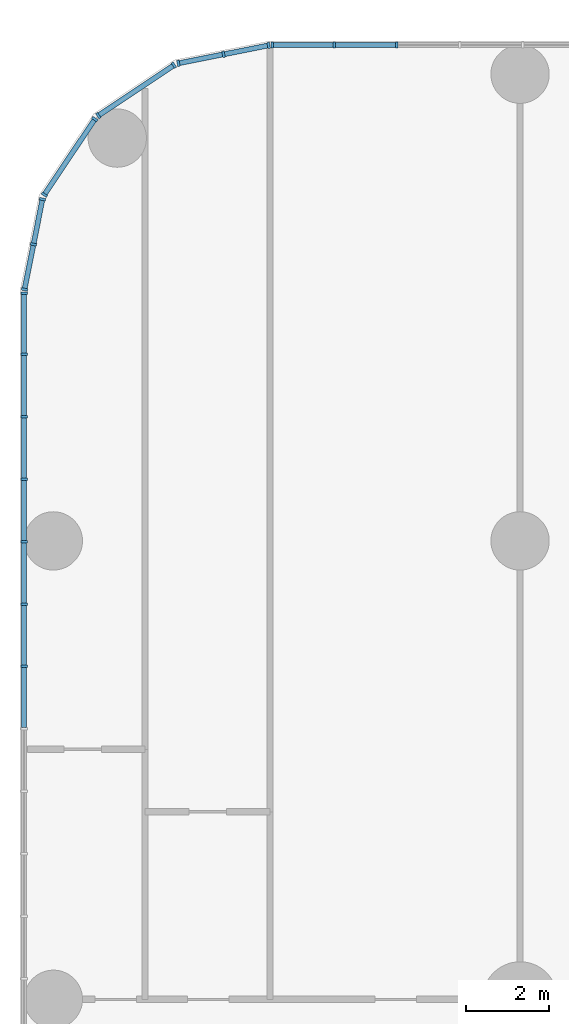
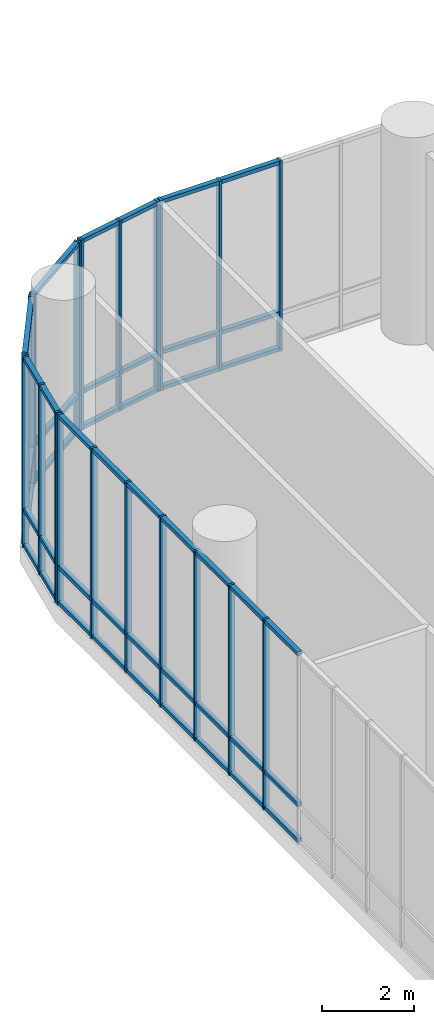
# One storey, part 9 of 30: 65 members, 6 elements without a shape of their own.
"""IFC4 building model written with IfcOpenShell, lengths in metres."""

from ifc_helpers import new_model, si_unit, direction, frame, origin, origin_2d, place, context, subcontext, project, spatial, rectangle, extrude, material, layer, layer_set, material_profile, profile_set, type_object, element, aggregate, save


model = new_model("IFC4")

# Units and contexts
model_context = context("Model", 3, precision=1e-05, world=origin(), true_north=direction((0.0, 1.0)))
body_context = subcontext(model_context, "Body", "Model", "MODEL_VIEW")
ifc_project = project(units=[si_unit("LENGTHUNIT", "METRE"), si_unit("AREAUNIT", "SQUARE_METRE"), si_unit("VOLUMEUNIT", "CUBIC_METRE"), si_unit("PLANEANGLEUNIT", "RADIAN"), si_unit("MASSUNIT", "GRAM", prefix="KILO")], contexts=[model_context])

# Site, building, storey
site_placement = place(None, origin())
site = spatial("IfcSite", under=ifc_project, at=site_placement, CompositionType="ELEMENT")
building_placement = place(site_placement, origin())
building = spatial("IfcBuilding", under=site, at=building_placement, Name="Torana Hotel and Residences", CompositionType="ELEMENT")
storey_placement = place(building_placement, frame((0.0, 0.0, 12.5)))
storey = spatial("IfcBuildingStorey", under=building, at=storey_placement, Name="L02", CompositionType="ELEMENT", Elevation=12.5)

# Curtain wall, members
ifc_material_1 = material(Name="Dark anodised aluminium", Category="aluminium")
ifc_layer = layer(ifc_material_1, 0.14990234375)
ifc_layer_set = layer_set([ifc_layer], Name="CW5 PODIUM UPPER UNITISED CURTAIN WALL")
curtain_wall_type = type_object("IfcCurtainWallType", Name="CW5 PODIUM UPPER UNITISED CURTAIN WALL", PredefinedType="NOTDEFINED", material=ifc_layer_set)
curtain_wall_1_placement = place(storey_placement, origin())
curtain_wall_1 = element("IfcCurtainWall", 1, at=curtain_wall_1_placement, inside=storey, type_object=curtain_wall_type, Name="Curtain wall CW5 L02 e0.2", PredefinedType="NOTDEFINED")
ifc_material_2 = material(Name="Dark anodised aluminium", Category="aluminium")
ifc_material_profile_1 = material_profile(ifc_material_2, rectangle(XDim=0.14990234375, YDim=0.06005859375, at=origin_2d()), Name="CW5 MULLION 60x150")
ifc_profile_set_1 = profile_set([ifc_material_profile_1], Name="Dark anodised aluminium")
member_type_1 = type_object("IfcMemberType", Name="CW5 MULLION 60x150", PredefinedType="MULLION", material=ifc_profile_set_1)
member_1_placement = place(storey_placement, frame((-38.953857421875, 7.89990234375, 0.0), z_axis=(0.0, 0.0, 1.0), x_axis=(0.0, -1.0, 0.0)))
member_1 = element("IfcMember", 2, at=member_1_placement, type_object=member_type_1, Name="CW5 mullion 20", PredefinedType="MULLION", context=body_context, shape_type="SweptSolid", body=[
    extrude(rectangle(XDim=0.14990234375, YDim=0.06005859375, at=origin_2d()), origin(), (0.0, 0.0, 1.0), 5.050048828125),
])
member_2_placement = place(storey_placement, frame((-40.464599609375, 7.89990234375, 0.0), z_axis=(0.0, 0.0, 1.0), x_axis=(0.0, -1.0, 0.0)))
member_2 = element("IfcMember", 3, at=member_2_placement, type_object=member_type_1, Name="CW5 mullion 21", PredefinedType="MULLION", context=body_context, shape_type="SweptSolid", body=[
    extrude(rectangle(XDim=0.14990234375, YDim=0.06005859375, at=origin_2d()), origin(), (0.0, 0.0, 1.0), 5.050048828125),
])
member_3_placement = place(storey_placement, frame((-41.9453125, 7.89990234375, 0.0), z_axis=(0.0, 0.0, 1.0), x_axis=(0.0, -1.0, 0.0)))
member_3 = element("IfcMember", 4, at=member_3_placement, type_object=member_type_1, Name="CW5 mullion 22", PredefinedType="MULLION", context=body_context, shape_type="SweptSolid", body=[
    extrude(rectangle(XDim=0.14990234375, YDim=0.06005859375, at=origin_2d()), origin(), (0.0, 0.0, 1.0), 5.050048828125),
])

curtain_wall_2_placement = place(storey_placement, origin())
curtain_wall_2 = element("IfcCurtainWall", 5, at=curtain_wall_2_placement, inside=storey, type_object=curtain_wall_type, Name="Curtain wall CW5 L02 e0.3", PredefinedType="NOTDEFINED")
member_4_placement = place(storey_placement, frame((-42.033935546875, 7.891357421875, 0.0), z_axis=(0.0, 0.0, 1.0), x_axis=(0.195080996415, -0.980787135335, 0.0)))
member_4 = element("IfcMember", 6, at=member_4_placement, type_object=member_type_1, Name="CW5 mullion 1", PredefinedType="MULLION", context=body_context, shape_type="SweptSolid", body=[
    extrude(rectangle(XDim=0.14990234375, YDim=0.06005859375, at=origin_2d()), origin(), (0.0, 0.0, 1.0), 5.050048828125),
])
member_5_placement = place(storey_placement, frame((-43.1162109375, 7.676025390625, 0.0), z_axis=(0.0, 0.0, 1.0), x_axis=(0.195080996415, -0.980787135335, 0.0)))
member_5 = element("IfcMember", 7, at=member_5_placement, type_object=member_type_1, Name="CW5 mullion 2", PredefinedType="MULLION", context=body_context, shape_type="SweptSolid", body=[
    extrude(rectangle(XDim=0.14990234375, YDim=0.06005859375, at=origin_2d()), origin(), (0.0, 0.0, 1.0), 5.050048828125),
])
member_6_placement = place(storey_placement, frame((-44.198486328125, 7.460693359375, 0.0), z_axis=(0.0, 0.0, 1.0), x_axis=(0.195080996415, -0.980787135335, 0.0)))
member_6 = element("IfcMember", 8, at=member_6_placement, type_object=member_type_1, Name="CW5 mullion 3", PredefinedType="MULLION", context=body_context, shape_type="SweptSolid", body=[
    extrude(rectangle(XDim=0.14990234375, YDim=0.06005859375, at=origin_2d()), origin(), (0.0, 0.0, 1.0), 5.050048828125),
])

curtain_wall_3_placement = place(storey_placement, origin())
curtain_wall_3 = element("IfcCurtainWall", 9, at=curtain_wall_3_placement, inside=storey, type_object=curtain_wall_type, Name="Curtain wall CW5 L02 e0.4", PredefinedType="NOTDEFINED")
member_7_placement = place(storey_placement, frame((-44.306884765625, 7.415771484375, 0.0), z_axis=(0.0, 0.0, 1.0), x_axis=(0.555585238723, -0.831459585616, 0.0)))
member_7 = element("IfcMember", 10, at=member_7_placement, type_object=member_type_1, Name="CW5 mullion 1", PredefinedType="MULLION", context=body_context, shape_type="SweptSolid", body=[
    extrude(rectangle(XDim=0.14990234375, YDim=0.06005859375, at=origin_2d()), origin(), (0.0, 0.0, 1.0), 5.050048828125),
])
member_8_placement = place(storey_placement, frame((-46.120849609375, 6.203857421875, 0.0), z_axis=(0.0, 0.0, 1.0), x_axis=(0.555585238723, -0.831459585616, 0.0)))
member_8 = element("IfcMember", 11, at=member_8_placement, type_object=member_type_1, Name="CW5 mullion 2", PredefinedType="MULLION", context=body_context, shape_type="SweptSolid", body=[
    extrude(rectangle(XDim=0.14990234375, YDim=0.06005859375, at=origin_2d()), origin(), (0.0, 0.0, 1.0), 5.050048828125),
])

curtain_wall_4_placement = place(storey_placement, origin())
curtain_wall_4 = element("IfcCurtainWall", 12, at=curtain_wall_4_placement, inside=storey, type_object=curtain_wall_type, Name="Curtain wall CW5 L02 e0.5", PredefinedType="NOTDEFINED")
member_9_placement = place(storey_placement, frame((-46.203857421875, 6.120849609375, 0.0), z_axis=(0.0, 0.0, 1.0), x_axis=(0.831459585616, -0.555585238723, 0.0)))
member_9 = element("IfcMember", 13, at=member_9_placement, type_object=member_type_1, Name="CW5 mullion 1", PredefinedType="MULLION", context=body_context, shape_type="SweptSolid", body=[
    extrude(rectangle(XDim=0.14990234375, YDim=0.06005859375, at=origin_2d()), origin(), (0.0, 0.0, 1.0), 5.050048828125),
])
member_10_placement = place(storey_placement, frame((-47.415771484375, 4.306884765625, 0.0), z_axis=(0.0, 0.0, 1.0), x_axis=(0.831459585616, -0.555585238723, 0.0)))
member_10 = element("IfcMember", 14, at=member_10_placement, type_object=member_type_1, Name="CW5 mullion 2", PredefinedType="MULLION", context=body_context, shape_type="SweptSolid", body=[
    extrude(rectangle(XDim=0.14990234375, YDim=0.06005859375, at=origin_2d()), origin(), (0.0, 0.0, 1.0), 5.050048828125),
])

curtain_wall_5_placement = place(storey_placement, origin())
curtain_wall_5 = element("IfcCurtainWall", 15, at=curtain_wall_5_placement, inside=storey, type_object=curtain_wall_type, Name="Curtain wall CW5 L02 e0.6", PredefinedType="NOTDEFINED")
member_11_placement = place(storey_placement, frame((-47.460693359375, 4.198486328125, 0.0), z_axis=(0.0, 0.0, 1.0), x_axis=(0.980787135335, -0.195080996415, 0.0)))
member_11 = element("IfcMember", 16, at=member_11_placement, type_object=member_type_1, Name="CW5 mullion 1", PredefinedType="MULLION", context=body_context, shape_type="SweptSolid", body=[
    extrude(rectangle(XDim=0.14990234375, YDim=0.06005859375, at=origin_2d()), origin(), (0.0, 0.0, 1.0), 5.050048828125),
])
member_12_placement = place(storey_placement, frame((-47.676025390625, 3.1162109375, 0.0), z_axis=(0.0, 0.0, 1.0), x_axis=(0.980787135335, -0.195080996415, 0.0)))
member_12 = element("IfcMember", 17, at=member_12_placement, type_object=member_type_1, Name="CW5 mullion 2", PredefinedType="MULLION", context=body_context, shape_type="SweptSolid", body=[
    extrude(rectangle(XDim=0.14990234375, YDim=0.06005859375, at=origin_2d()), origin(), (0.0, 0.0, 1.0), 5.050048828125),
])
member_13_placement = place(storey_placement, frame((-47.891357421875, 2.033935546875, 0.0), z_axis=(0.0, 0.0, 1.0), x_axis=(0.980787135335, -0.195080996415, 0.0)))
member_13 = element("IfcMember", 18, at=member_13_placement, type_object=member_type_1, Name="CW5 mullion 3", PredefinedType="MULLION", context=body_context, shape_type="SweptSolid", body=[
    extrude(rectangle(XDim=0.14990234375, YDim=0.06005859375, at=origin_2d()), origin(), (0.0, 0.0, 1.0), 5.050048828125),
])

curtain_wall_6_placement = place(storey_placement, origin())
curtain_wall_6 = element("IfcCurtainWall", 19, at=curtain_wall_6_placement, inside=storey, type_object=curtain_wall_type, Name="Curtain wall CW5 L02 e0.7", PredefinedType="NOTDEFINED")
member_14_placement = place(storey_placement, frame((-47.89990234375, 1.9453125, 0.0), z_axis=(0.0, 0.0, 1.0), x_axis=(1.0, 0.0, 0.0)))
member_14 = element("IfcMember", 20, at=member_14_placement, type_object=member_type_1, Name="CW5 mullion 1", PredefinedType="MULLION", context=body_context, shape_type="SweptSolid", body=[
    extrude(rectangle(XDim=0.14990234375, YDim=0.06005859375, at=origin_2d()), origin(), (0.0, 0.0, 1.0), 5.050048828125),
])
member_15_placement = place(storey_placement, frame((-47.89990234375, 0.4775390625, 0.0), z_axis=(0.0, 0.0, 1.0), x_axis=(1.0, 0.0, 0.0)))
member_15 = element("IfcMember", 21, at=member_15_placement, type_object=member_type_1, Name="CW5 mullion 2", PredefinedType="MULLION", context=body_context, shape_type="SweptSolid", body=[
    extrude(rectangle(XDim=0.14990234375, YDim=0.06005859375, at=origin_2d()), origin(), (0.0, 0.0, 1.0), 5.050048828125),
])
member_16_placement = place(storey_placement, frame((-47.89990234375, -1.0205078125, 0.0), z_axis=(0.0, 0.0, 1.0), x_axis=(1.0, 0.0, 0.0)))
member_16 = element("IfcMember", 22, at=member_16_placement, type_object=member_type_1, Name="CW5 mullion 3", PredefinedType="MULLION", context=body_context, shape_type="SweptSolid", body=[
    extrude(rectangle(XDim=0.14990234375, YDim=0.06005859375, at=origin_2d()), origin(), (0.0, 0.0, 1.0), 5.050048828125),
])
member_17_placement = place(storey_placement, frame((-47.89990234375, -2.5185546875, 0.0), z_axis=(0.0, 0.0, 1.0), x_axis=(1.0, 0.0, 0.0)))
member_17 = element("IfcMember", 23, at=member_17_placement, type_object=member_type_1, Name="CW5 mullion 4", PredefinedType="MULLION", context=body_context, shape_type="SweptSolid", body=[
    extrude(rectangle(XDim=0.14990234375, YDim=0.06005859375, at=origin_2d()), origin(), (0.0, 0.0, 1.0), 5.050048828125),
])
member_18_placement = place(storey_placement, frame((-47.89990234375, -4.016357421875, 0.0), z_axis=(0.0, 0.0, 1.0), x_axis=(1.0, 0.0, 0.0)))
member_18 = element("IfcMember", 24, at=member_18_placement, type_object=member_type_1, Name="CW5 mullion 5", PredefinedType="MULLION", context=body_context, shape_type="SweptSolid", body=[
    extrude(rectangle(XDim=0.14990234375, YDim=0.06005859375, at=origin_2d()), origin(), (0.0, 0.0, 1.0), 5.050048828125),
])
member_19_placement = place(storey_placement, frame((-47.89990234375, -5.514404296875, 0.0), z_axis=(0.0, 0.0, 1.0), x_axis=(1.0, 0.0, 0.0)))
member_19 = element("IfcMember", 25, at=member_19_placement, type_object=member_type_1, Name="CW5 mullion 6", PredefinedType="MULLION", context=body_context, shape_type="SweptSolid", body=[
    extrude(rectangle(XDim=0.14990234375, YDim=0.06005859375, at=origin_2d()), origin(), (0.0, 0.0, 1.0), 5.050048828125),
])
member_20_placement = place(storey_placement, frame((-47.89990234375, -7.01220703125, 0.0), z_axis=(0.0, 0.0, 1.0), x_axis=(1.0, 0.0, 0.0)))
member_20 = element("IfcMember", 26, at=member_20_placement, type_object=member_type_1, Name="CW5 mullion 7", PredefinedType="MULLION", context=body_context, shape_type="SweptSolid", body=[
    extrude(rectangle(XDim=0.14990234375, YDim=0.06005859375, at=origin_2d()), origin(), (0.0, 0.0, 1.0), 5.050048828125),
])

# Member
ifc_material_3 = material(Name="Dark anodised aluminium", Category="aluminium")
ifc_material_profile_2 = material_profile(ifc_material_3, rectangle(XDim=0.1201171875, YDim=0.10009765625, at=origin_2d()), Name="CW5 TRANSOM 120x100")
ifc_profile_set_2 = profile_set([ifc_material_profile_2], Name="Dark anodised aluminium")
member_type_2 = type_object("IfcMemberType", Name="CW5 TRANSOM 120x100", PredefinedType="USERDEFINED", material=ifc_profile_set_2)
member_21_placement = place(storey_placement, frame((-38.98388671875, 7.89990234375, 0.050048828125), z_axis=(-1.0, 0.0, 0.0), x_axis=(0.0, -1.0, 0.0)))
member_21 = element("IfcMember", 27, at=member_21_placement, type_object=member_type_2, Name="CW5 transom 20.1", ObjectType="TRANSOM", PredefinedType="USERDEFINED", context=body_context, shape_type="SweptSolid", body=[
    extrude(rectangle(XDim=0.1201171875, YDim=0.10009765625, at=origin_2d()), origin(), (0.0, 0.0, 1.0), 1.45068359375),
])

member_22_placement = place(storey_placement, frame((-38.98388671875, 7.89990234375, 1.0), z_axis=(-1.0, 0.0, 0.0), x_axis=(0.0, -1.0, 0.0)))
member_22 = element("IfcMember", 28, at=member_22_placement, type_object=member_type_2, Name="CW5 transom 20.2", ObjectType="TRANSOM", PredefinedType="USERDEFINED", context=body_context, shape_type="SweptSolid", body=[
    extrude(rectangle(XDim=0.1201171875, YDim=0.10009765625, at=origin_2d()), origin(), (0.0, 0.0, 1.0), 1.45068359375),
])

member_23_placement = place(storey_placement, frame((-38.98388671875, 7.89990234375, 5.0), z_axis=(-1.0, 0.0, 0.0), x_axis=(0.0, -1.0, 0.0)))
member_23 = element("IfcMember", 29, at=member_23_placement, type_object=member_type_2, Name="CW5 transom 20.3", ObjectType="TRANSOM", PredefinedType="USERDEFINED", context=body_context, shape_type="SweptSolid", body=[
    extrude(rectangle(XDim=0.1201171875, YDim=0.10009765625, at=origin_2d()), origin(), (0.0, 0.0, 1.0), 1.45068359375),
])

member_24_placement = place(storey_placement, frame((-40.49462890625, 7.89990234375, 0.050048828125), z_axis=(-1.0, 0.0, 0.0), x_axis=(0.0, -1.0, 0.0)))
member_24 = element("IfcMember", 30, at=member_24_placement, type_object=member_type_2, Name="CW5 transom 21.1", ObjectType="TRANSOM", PredefinedType="USERDEFINED", context=body_context, shape_type="SweptSolid", body=[
    extrude(rectangle(XDim=0.1201171875, YDim=0.10009765625, at=origin_2d()), origin(), (0.0, 0.0, 1.0), 1.420654296875),
])

member_25_placement = place(storey_placement, frame((-40.49462890625, 7.89990234375, 1.0), z_axis=(-1.0, 0.0, 0.0), x_axis=(0.0, -1.0, 0.0)))
member_25 = element("IfcMember", 31, at=member_25_placement, type_object=member_type_2, Name="CW5 transom 21.2", ObjectType="TRANSOM", PredefinedType="USERDEFINED", context=body_context, shape_type="SweptSolid", body=[
    extrude(rectangle(XDim=0.1201171875, YDim=0.10009765625, at=origin_2d()), origin(), (0.0, 0.0, 1.0), 1.420654296875),
])

member_26_placement = place(storey_placement, frame((-40.49462890625, 7.89990234375, 5.0), z_axis=(-1.0, 0.0, 0.0), x_axis=(0.0, -1.0, 0.0)))
member_26 = element("IfcMember", 32, at=member_26_placement, type_object=member_type_2, Name="CW5 transom 21.3", ObjectType="TRANSOM", PredefinedType="USERDEFINED", context=body_context, shape_type="SweptSolid", body=[
    extrude(rectangle(XDim=0.1201171875, YDim=0.10009765625, at=origin_2d()), origin(), (0.0, 0.0, 1.0), 1.420654296875),
])

aggregate(curtain_wall_1, [member_1, member_2, member_3, member_21, member_22, member_23, member_24, member_25, member_26])

member_27_placement = place(storey_placement, frame((-42.0634765625, 7.885498046875, 0.050048828125), z_axis=(-0.980769234765, -0.195170971557, 0.0), x_axis=(0.195170971557, -0.980769234765, 0.0)))
member_27 = element("IfcMember", 33, at=member_27_placement, type_object=member_type_2, Name="CW5 transom 1.1", ObjectType="TRANSOM", PredefinedType="USERDEFINED", context=body_context, shape_type="SweptSolid", body=[
    extrude(rectangle(XDim=0.1201171875, YDim=0.10009765625, at=origin_2d()), origin(), (0.0, 0.0, 1.0), 1.043212890625),
])

member_28_placement = place(storey_placement, frame((-42.0634765625, 7.885498046875, 1.0), z_axis=(-0.980769234765, -0.195170971557, 0.0), x_axis=(0.195170971557, -0.980769234765, 0.0)))
member_28 = element("IfcMember", 34, at=member_28_placement, type_object=member_type_2, Name="CW5 transom 1.2", ObjectType="TRANSOM", PredefinedType="USERDEFINED", context=body_context, shape_type="SweptSolid", body=[
    extrude(rectangle(XDim=0.1201171875, YDim=0.10009765625, at=origin_2d()), origin(), (0.0, 0.0, 1.0), 1.043212890625),
])

member_29_placement = place(storey_placement, frame((-42.0634765625, 7.885498046875, 5.0), z_axis=(-0.980769234765, -0.195170971557, 0.0), x_axis=(0.195170971557, -0.980769234765, 0.0)))
member_29 = element("IfcMember", 35, at=member_29_placement, type_object=member_type_2, Name="CW5 transom 1.3", ObjectType="TRANSOM", PredefinedType="USERDEFINED", context=body_context, shape_type="SweptSolid", body=[
    extrude(rectangle(XDim=0.1201171875, YDim=0.10009765625, at=origin_2d()), origin(), (0.0, 0.0, 1.0), 1.043212890625),
])

member_30_placement = place(storey_placement, frame((-43.1455078125, 7.670166015625, 0.050048828125), z_axis=(-0.980778145841, -0.195126186458, 0.0), x_axis=(0.195126186458, -0.980778145841, 0.0)))
member_30 = element("IfcMember", 36, at=member_30_placement, type_object=member_type_2, Name="CW5 transom 2.1", ObjectType="TRANSOM", PredefinedType="USERDEFINED", context=body_context, shape_type="SweptSolid", body=[
    extrude(rectangle(XDim=0.1201171875, YDim=0.10009765625, at=origin_2d()), origin(), (0.0, 0.0, 1.0), 1.04345703125),
])

member_31_placement = place(storey_placement, frame((-43.1455078125, 7.670166015625, 1.0), z_axis=(-0.980778145841, -0.195126186458, 0.0), x_axis=(0.195126186458, -0.980778145841, 0.0)))
member_31 = element("IfcMember", 37, at=member_31_placement, type_object=member_type_2, Name="CW5 transom 2.2", ObjectType="TRANSOM", PredefinedType="USERDEFINED", context=body_context, shape_type="SweptSolid", body=[
    extrude(rectangle(XDim=0.1201171875, YDim=0.10009765625, at=origin_2d()), origin(), (0.0, 0.0, 1.0), 1.04345703125),
])

member_32_placement = place(storey_placement, frame((-43.1455078125, 7.670166015625, 5.0), z_axis=(-0.980778145841, -0.195126186458, 0.0), x_axis=(0.195126186458, -0.980778145841, 0.0)))
member_32 = element("IfcMember", 38, at=member_32_placement, type_object=member_type_2, Name="CW5 transom 2.3", ObjectType="TRANSOM", PredefinedType="USERDEFINED", context=body_context, shape_type="SweptSolid", body=[
    extrude(rectangle(XDim=0.1201171875, YDim=0.10009765625, at=origin_2d()), origin(), (0.0, 0.0, 1.0), 1.04345703125),
])

aggregate(curtain_wall_2, [member_4, member_5, member_6, member_27, member_28, member_29, member_30, member_31, member_32])

member_33_placement = place(storey_placement, frame((-44.331787109375, 7.399169921875, 0.050048828125), z_axis=(-0.831447851219, -0.555602799403, 0.0), x_axis=(0.555602799403, -0.831447851219, 0.0)))
member_33 = element("IfcMember", 39, at=member_33_placement, type_object=member_type_2, Name="CW5 transom 1.1", ObjectType="TRANSOM", PredefinedType="USERDEFINED", context=body_context, shape_type="SweptSolid", body=[
    extrude(rectangle(XDim=0.1201171875, YDim=0.10009765625, at=origin_2d()), origin(), (0.0, 0.0, 1.0), 2.12158203125),
])

member_34_placement = place(storey_placement, frame((-44.331787109375, 7.399169921875, 1.0), z_axis=(-0.831447851219, -0.555602799403, 0.0), x_axis=(0.555602799403, -0.831447851219, 0.0)))
member_34 = element("IfcMember", 40, at=member_34_placement, type_object=member_type_2, Name="CW5 transom 1.2", ObjectType="TRANSOM", PredefinedType="USERDEFINED", context=body_context, shape_type="SweptSolid", body=[
    extrude(rectangle(XDim=0.1201171875, YDim=0.10009765625, at=origin_2d()), origin(), (0.0, 0.0, 1.0), 2.12158203125),
])

member_35_placement = place(storey_placement, frame((-44.331787109375, 7.399169921875, 5.0), z_axis=(-0.831447851219, -0.555602799403, 0.0), x_axis=(0.555602799403, -0.831447851219, 0.0)))
member_35 = element("IfcMember", 41, at=member_35_placement, type_object=member_type_2, Name="CW5 transom 1.3", ObjectType="TRANSOM", PredefinedType="USERDEFINED", context=body_context, shape_type="SweptSolid", body=[
    extrude(rectangle(XDim=0.1201171875, YDim=0.10009765625, at=origin_2d()), origin(), (0.0, 0.0, 1.0), 2.12158203125),
])

aggregate(curtain_wall_3, [member_7, member_8, member_33, member_34, member_35])

member_36_placement = place(storey_placement, frame((-46.220458984375, 6.095703125, 0.050048828125), z_axis=(-0.555602799403, -0.831447851219, 0.0), x_axis=(0.831447851219, -0.555602799403, 0.0)))
member_36 = element("IfcMember", 42, at=member_36_placement, type_object=member_type_2, Name="CW5 transom 1.1", ObjectType="TRANSOM", PredefinedType="USERDEFINED", context=body_context, shape_type="SweptSolid", body=[
    extrude(rectangle(XDim=0.1201171875, YDim=0.10009765625, at=origin_2d()), origin(), (0.0, 0.0, 1.0), 2.12158203125),
])

member_37_placement = place(storey_placement, frame((-46.220458984375, 6.095703125, 1.0), z_axis=(-0.555602799403, -0.831447851219, 0.0), x_axis=(0.831447851219, -0.555602799403, 0.0)))
member_37 = element("IfcMember", 43, at=member_37_placement, type_object=member_type_2, Name="CW5 transom 1.2", ObjectType="TRANSOM", PredefinedType="USERDEFINED", context=body_context, shape_type="SweptSolid", body=[
    extrude(rectangle(XDim=0.1201171875, YDim=0.10009765625, at=origin_2d()), origin(), (0.0, 0.0, 1.0), 2.12158203125),
])

member_38_placement = place(storey_placement, frame((-46.220458984375, 6.095703125, 5.0), z_axis=(-0.555602799403, -0.831447851219, 0.0), x_axis=(0.831447851219, -0.555602799403, 0.0)))
member_38 = element("IfcMember", 44, at=member_38_placement, type_object=member_type_2, Name="CW5 transom 1.3", ObjectType="TRANSOM", PredefinedType="USERDEFINED", context=body_context, shape_type="SweptSolid", body=[
    extrude(rectangle(XDim=0.1201171875, YDim=0.10009765625, at=origin_2d()), origin(), (0.0, 0.0, 1.0), 2.12158203125),
])

aggregate(curtain_wall_4, [member_9, member_10, member_36, member_37, member_38])

member_39_placement = place(storey_placement, frame((-47.466552734375, 4.1689453125, 0.050048828125), z_axis=(-0.195126186458, -0.980778145841, 0.0), x_axis=(0.980778145841, -0.195126186458, 0.0)))
member_39 = element("IfcMember", 45, at=member_39_placement, type_object=member_type_2, Name="CW5 transom 1.1", ObjectType="TRANSOM", PredefinedType="USERDEFINED", context=body_context, shape_type="SweptSolid", body=[
    extrude(rectangle(XDim=0.1201171875, YDim=0.10009765625, at=origin_2d()), origin(), (0.0, 0.0, 1.0), 1.04345703125),
])

member_40_placement = place(storey_placement, frame((-47.466552734375, 4.1689453125, 1.0), z_axis=(-0.195126186458, -0.980778145841, 0.0), x_axis=(0.980778145841, -0.195126186458, 0.0)))
member_40 = element("IfcMember", 46, at=member_40_placement, type_object=member_type_2, Name="CW5 transom 1.2", ObjectType="TRANSOM", PredefinedType="USERDEFINED", context=body_context, shape_type="SweptSolid", body=[
    extrude(rectangle(XDim=0.1201171875, YDim=0.10009765625, at=origin_2d()), origin(), (0.0, 0.0, 1.0), 1.04345703125),
])

member_41_placement = place(storey_placement, frame((-47.466552734375, 4.1689453125, 5.0), z_axis=(-0.195126186458, -0.980778145841, 0.0), x_axis=(0.980778145841, -0.195126186458, 0.0)))
member_41 = element("IfcMember", 47, at=member_41_placement, type_object=member_type_2, Name="CW5 transom 1.3", ObjectType="TRANSOM", PredefinedType="USERDEFINED", context=body_context, shape_type="SweptSolid", body=[
    extrude(rectangle(XDim=0.1201171875, YDim=0.10009765625, at=origin_2d()), origin(), (0.0, 0.0, 1.0), 1.04345703125),
])

member_42_placement = place(storey_placement, frame((-47.681884765625, 3.086669921875, 0.050048828125), z_axis=(-0.195170971557, -0.980769234765, 0.0), x_axis=(0.980769234765, -0.195170971557, 0.0)))
member_42 = element("IfcMember", 48, at=member_42_placement, type_object=member_type_2, Name="CW5 transom 2.1", ObjectType="TRANSOM", PredefinedType="USERDEFINED", context=body_context, shape_type="SweptSolid", body=[
    extrude(rectangle(XDim=0.1201171875, YDim=0.10009765625, at=origin_2d()), origin(), (0.0, 0.0, 1.0), 1.043212890625),
])

member_43_placement = place(storey_placement, frame((-47.681884765625, 3.086669921875, 1.0), z_axis=(-0.195170971557, -0.980769234765, 0.0), x_axis=(0.980769234765, -0.195170971557, 0.0)))
member_43 = element("IfcMember", 49, at=member_43_placement, type_object=member_type_2, Name="CW5 transom 2.2", ObjectType="TRANSOM", PredefinedType="USERDEFINED", context=body_context, shape_type="SweptSolid", body=[
    extrude(rectangle(XDim=0.1201171875, YDim=0.10009765625, at=origin_2d()), origin(), (0.0, 0.0, 1.0), 1.043212890625),
])

member_44_placement = place(storey_placement, frame((-47.681884765625, 3.086669921875, 5.0), z_axis=(-0.195170971557, -0.980769234765, 0.0), x_axis=(0.980769234765, -0.195170971557, 0.0)))
member_44 = element("IfcMember", 50, at=member_44_placement, type_object=member_type_2, Name="CW5 transom 2.3", ObjectType="TRANSOM", PredefinedType="USERDEFINED", context=body_context, shape_type="SweptSolid", body=[
    extrude(rectangle(XDim=0.1201171875, YDim=0.10009765625, at=origin_2d()), origin(), (0.0, 0.0, 1.0), 1.043212890625),
])

aggregate(curtain_wall_5, [member_11, member_12, member_13, member_39, member_40, member_41, member_42, member_43, member_44])

member_45_placement = place(storey_placement, frame((-47.89990234375, 1.915283203125, 0.050048828125), z_axis=(0.0, -1.0, 0.0), x_axis=(1.0, 0.0, 0.0)))
member_45 = element("IfcMember", 51, at=member_45_placement, type_object=member_type_2, Name="CW5 transom 1.1", ObjectType="TRANSOM", PredefinedType="USERDEFINED", context=body_context, shape_type="SweptSolid", body=[
    extrude(rectangle(XDim=0.1201171875, YDim=0.10009765625, at=origin_2d()), origin(), (0.0, 0.0, 1.0), 1.40771484375),
])

member_46_placement = place(storey_placement, frame((-47.89990234375, 1.915283203125, 1.0), z_axis=(0.0, -1.0, 0.0), x_axis=(1.0, 0.0, 0.0)))
member_46 = element("IfcMember", 52, at=member_46_placement, type_object=member_type_2, Name="CW5 transom 1.2", ObjectType="TRANSOM", PredefinedType="USERDEFINED", context=body_context, shape_type="SweptSolid", body=[
    extrude(rectangle(XDim=0.1201171875, YDim=0.10009765625, at=origin_2d()), origin(), (0.0, 0.0, 1.0), 1.40771484375),
])

member_47_placement = place(storey_placement, frame((-47.89990234375, 1.915283203125, 5.0), z_axis=(0.0, -1.0, 0.0), x_axis=(1.0, 0.0, 0.0)))
member_47 = element("IfcMember", 53, at=member_47_placement, type_object=member_type_2, Name="CW5 transom 1.3", ObjectType="TRANSOM", PredefinedType="USERDEFINED", context=body_context, shape_type="SweptSolid", body=[
    extrude(rectangle(XDim=0.1201171875, YDim=0.10009765625, at=origin_2d()), origin(), (0.0, 0.0, 1.0), 1.40771484375),
])

member_48_placement = place(storey_placement, frame((-47.89990234375, 0.447509765625, 0.050048828125), z_axis=(0.0, -1.0, 0.0), x_axis=(1.0, 0.0, 0.0)))
member_48 = element("IfcMember", 54, at=member_48_placement, type_object=member_type_2, Name="CW5 transom 2.1", ObjectType="TRANSOM", PredefinedType="USERDEFINED", context=body_context, shape_type="SweptSolid", body=[
    extrude(rectangle(XDim=0.1201171875, YDim=0.10009765625, at=origin_2d()), origin(), (0.0, 0.0, 1.0), 1.43798828125),
])

member_49_placement = place(storey_placement, frame((-47.89990234375, 0.447509765625, 1.0), z_axis=(0.0, -1.0, 0.0), x_axis=(1.0, 0.0, 0.0)))
member_49 = element("IfcMember", 55, at=member_49_placement, type_object=member_type_2, Name="CW5 transom 2.2", ObjectType="TRANSOM", PredefinedType="USERDEFINED", context=body_context, shape_type="SweptSolid", body=[
    extrude(rectangle(XDim=0.1201171875, YDim=0.10009765625, at=origin_2d()), origin(), (0.0, 0.0, 1.0), 1.43798828125),
])

member_50_placement = place(storey_placement, frame((-47.89990234375, 0.447509765625, 5.0), z_axis=(0.0, -1.0, 0.0), x_axis=(1.0, 0.0, 0.0)))
member_50 = element("IfcMember", 56, at=member_50_placement, type_object=member_type_2, Name="CW5 transom 2.3", ObjectType="TRANSOM", PredefinedType="USERDEFINED", context=body_context, shape_type="SweptSolid", body=[
    extrude(rectangle(XDim=0.1201171875, YDim=0.10009765625, at=origin_2d()), origin(), (0.0, 0.0, 1.0), 1.43798828125),
])

member_51_placement = place(storey_placement, frame((-47.89990234375, -1.050537109375, 0.050048828125), z_axis=(0.0, -1.0, 0.0), x_axis=(1.0, 0.0, 0.0)))
member_51 = element("IfcMember", 57, at=member_51_placement, type_object=member_type_2, Name="CW5 transom 3.1", ObjectType="TRANSOM", PredefinedType="USERDEFINED", context=body_context, shape_type="SweptSolid", body=[
    extrude(rectangle(XDim=0.1201171875, YDim=0.10009765625, at=origin_2d()), origin(), (0.0, 0.0, 1.0), 1.43798828125),
])

member_52_placement = place(storey_placement, frame((-47.89990234375, -1.050537109375, 1.0), z_axis=(0.0, -1.0, 0.0), x_axis=(1.0, 0.0, 0.0)))
member_52 = element("IfcMember", 58, at=member_52_placement, type_object=member_type_2, Name="CW5 transom 3.2", ObjectType="TRANSOM", PredefinedType="USERDEFINED", context=body_context, shape_type="SweptSolid", body=[
    extrude(rectangle(XDim=0.1201171875, YDim=0.10009765625, at=origin_2d()), origin(), (0.0, 0.0, 1.0), 1.43798828125),
])

member_53_placement = place(storey_placement, frame((-47.89990234375, -1.050537109375, 5.0), z_axis=(0.0, -1.0, 0.0), x_axis=(1.0, 0.0, 0.0)))
member_53 = element("IfcMember", 59, at=member_53_placement, type_object=member_type_2, Name="CW5 transom 3.3", ObjectType="TRANSOM", PredefinedType="USERDEFINED", context=body_context, shape_type="SweptSolid", body=[
    extrude(rectangle(XDim=0.1201171875, YDim=0.10009765625, at=origin_2d()), origin(), (0.0, 0.0, 1.0), 1.43798828125),
])

member_54_placement = place(storey_placement, frame((-47.89990234375, -2.54833984375, 0.050048828125), z_axis=(0.0, -1.0, 0.0), x_axis=(1.0, 0.0, 0.0)))
member_54 = element("IfcMember", 60, at=member_54_placement, type_object=member_type_2, Name="CW5 transom 4.1", ObjectType="TRANSOM", PredefinedType="USERDEFINED", context=body_context, shape_type="SweptSolid", body=[
    extrude(rectangle(XDim=0.1201171875, YDim=0.10009765625, at=origin_2d()), origin(), (0.0, 0.0, 1.0), 1.43798828125),
])

member_55_placement = place(storey_placement, frame((-47.89990234375, -2.54833984375, 1.0), z_axis=(0.0, -1.0, 0.0), x_axis=(1.0, 0.0, 0.0)))
member_55 = element("IfcMember", 61, at=member_55_placement, type_object=member_type_2, Name="CW5 transom 4.2", ObjectType="TRANSOM", PredefinedType="USERDEFINED", context=body_context, shape_type="SweptSolid", body=[
    extrude(rectangle(XDim=0.1201171875, YDim=0.10009765625, at=origin_2d()), origin(), (0.0, 0.0, 1.0), 1.43798828125),
])

member_56_placement = place(storey_placement, frame((-47.89990234375, -2.54833984375, 5.0), z_axis=(0.0, -1.0, 0.0), x_axis=(1.0, 0.0, 0.0)))
member_56 = element("IfcMember", 62, at=member_56_placement, type_object=member_type_2, Name="CW5 transom 4.3", ObjectType="TRANSOM", PredefinedType="USERDEFINED", context=body_context, shape_type="SweptSolid", body=[
    extrude(rectangle(XDim=0.1201171875, YDim=0.10009765625, at=origin_2d()), origin(), (0.0, 0.0, 1.0), 1.43798828125),
])

member_57_placement = place(storey_placement, frame((-47.89990234375, -4.04638671875, 0.050048828125), z_axis=(0.0, -1.0, 0.0), x_axis=(1.0, 0.0, 0.0)))
member_57 = element("IfcMember", 63, at=member_57_placement, type_object=member_type_2, Name="CW5 transom 5.1", ObjectType="TRANSOM", PredefinedType="USERDEFINED", context=body_context, shape_type="SweptSolid", body=[
    extrude(rectangle(XDim=0.1201171875, YDim=0.10009765625, at=origin_2d()), origin(), (0.0, 0.0, 1.0), 1.43798828125),
])

member_58_placement = place(storey_placement, frame((-47.89990234375, -4.04638671875, 1.0), z_axis=(0.0, -1.0, 0.0), x_axis=(1.0, 0.0, 0.0)))
member_58 = element("IfcMember", 64, at=member_58_placement, type_object=member_type_2, Name="CW5 transom 5.2", ObjectType="TRANSOM", PredefinedType="USERDEFINED", context=body_context, shape_type="SweptSolid", body=[
    extrude(rectangle(XDim=0.1201171875, YDim=0.10009765625, at=origin_2d()), origin(), (0.0, 0.0, 1.0), 1.43798828125),
])

member_59_placement = place(storey_placement, frame((-47.89990234375, -4.04638671875, 5.0), z_axis=(0.0, -1.0, 0.0), x_axis=(1.0, 0.0, 0.0)))
member_59 = element("IfcMember", 65, at=member_59_placement, type_object=member_type_2, Name="CW5 transom 5.3", ObjectType="TRANSOM", PredefinedType="USERDEFINED", context=body_context, shape_type="SweptSolid", body=[
    extrude(rectangle(XDim=0.1201171875, YDim=0.10009765625, at=origin_2d()), origin(), (0.0, 0.0, 1.0), 1.43798828125),
])

member_60_placement = place(storey_placement, frame((-47.89990234375, -5.54443359375, 0.050048828125), z_axis=(0.0, -1.0, 0.0), x_axis=(1.0, 0.0, 0.0)))
member_60 = element("IfcMember", 66, at=member_60_placement, type_object=member_type_2, Name="CW5 transom 6.1", ObjectType="TRANSOM", PredefinedType="USERDEFINED", context=body_context, shape_type="SweptSolid", body=[
    extrude(rectangle(XDim=0.1201171875, YDim=0.10009765625, at=origin_2d()), origin(), (0.0, 0.0, 1.0), 1.43798828125),
])

member_61_placement = place(storey_placement, frame((-47.89990234375, -5.54443359375, 1.0), z_axis=(0.0, -1.0, 0.0), x_axis=(1.0, 0.0, 0.0)))
member_61 = element("IfcMember", 67, at=member_61_placement, type_object=member_type_2, Name="CW5 transom 6.2", ObjectType="TRANSOM", PredefinedType="USERDEFINED", context=body_context, shape_type="SweptSolid", body=[
    extrude(rectangle(XDim=0.1201171875, YDim=0.10009765625, at=origin_2d()), origin(), (0.0, 0.0, 1.0), 1.43798828125),
])

member_62_placement = place(storey_placement, frame((-47.89990234375, -5.54443359375, 5.0), z_axis=(0.0, -1.0, 0.0), x_axis=(1.0, 0.0, 0.0)))
member_62 = element("IfcMember", 68, at=member_62_placement, type_object=member_type_2, Name="CW5 transom 6.3", ObjectType="TRANSOM", PredefinedType="USERDEFINED", context=body_context, shape_type="SweptSolid", body=[
    extrude(rectangle(XDim=0.1201171875, YDim=0.10009765625, at=origin_2d()), origin(), (0.0, 0.0, 1.0), 1.43798828125),
])

member_63_placement = place(storey_placement, frame((-47.89990234375, -7.042236328125, 0.050048828125), z_axis=(0.0, -1.0, 0.0), x_axis=(1.0, 0.0, 0.0)))
member_63 = element("IfcMember", 69, at=member_63_placement, type_object=member_type_2, Name="CW5 transom 7.1", ObjectType="TRANSOM", PredefinedType="USERDEFINED", context=body_context, shape_type="SweptSolid", body=[
    extrude(rectangle(XDim=0.1201171875, YDim=0.10009765625, at=origin_2d()), origin(), (0.0, 0.0, 1.0), 1.43798828125),
])

member_64_placement = place(storey_placement, frame((-47.89990234375, -7.042236328125, 1.0), z_axis=(0.0, -1.0, 0.0), x_axis=(1.0, 0.0, 0.0)))
member_64 = element("IfcMember", 70, at=member_64_placement, type_object=member_type_2, Name="CW5 transom 7.2", ObjectType="TRANSOM", PredefinedType="USERDEFINED", context=body_context, shape_type="SweptSolid", body=[
    extrude(rectangle(XDim=0.1201171875, YDim=0.10009765625, at=origin_2d()), origin(), (0.0, 0.0, 1.0), 1.43798828125),
])

member_65_placement = place(storey_placement, frame((-47.89990234375, -7.042236328125, 5.0), z_axis=(0.0, -1.0, 0.0), x_axis=(1.0, 0.0, 0.0)))
member_65 = element("IfcMember", 71, at=member_65_placement, type_object=member_type_2, Name="CW5 transom 7.3", ObjectType="TRANSOM", PredefinedType="USERDEFINED", context=body_context, shape_type="SweptSolid", body=[
    extrude(rectangle(XDim=0.1201171875, YDim=0.10009765625, at=origin_2d()), origin(), (0.0, 0.0, 1.0), 1.43798828125),
])

aggregate(curtain_wall_6, [member_14, member_15, member_16, member_17, member_18, member_19, member_20, member_45, member_46, member_47, member_48, member_49, member_50, member_51, member_52, member_53, member_54, member_55, member_56, member_57, member_58, member_59, member_60, member_61, member_62, member_63, member_64, member_65])

save(model, "model.ifc")
